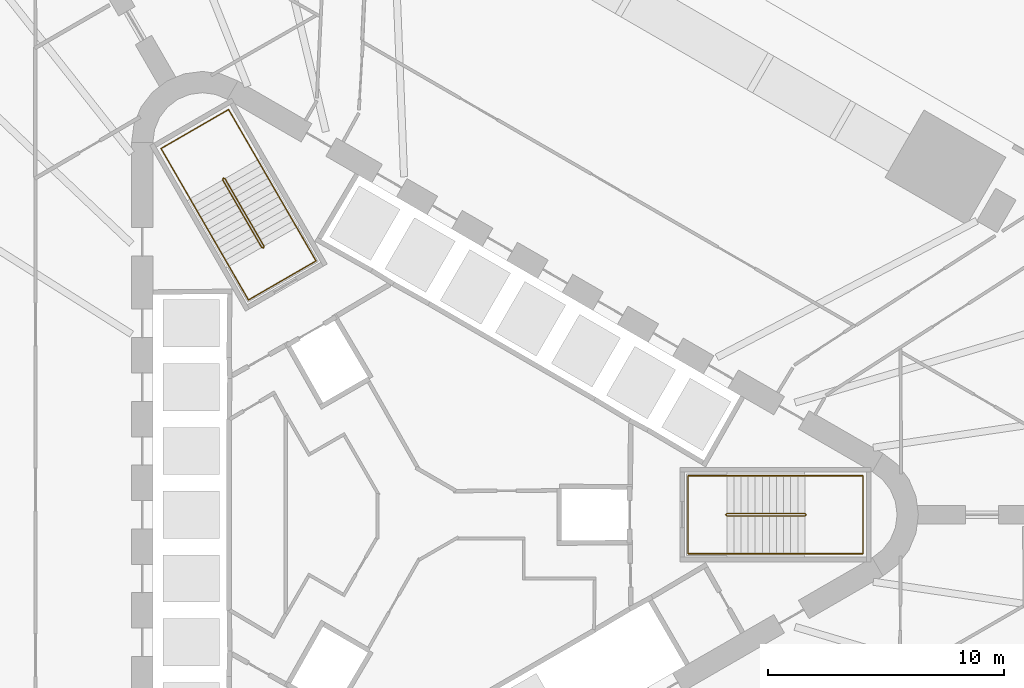
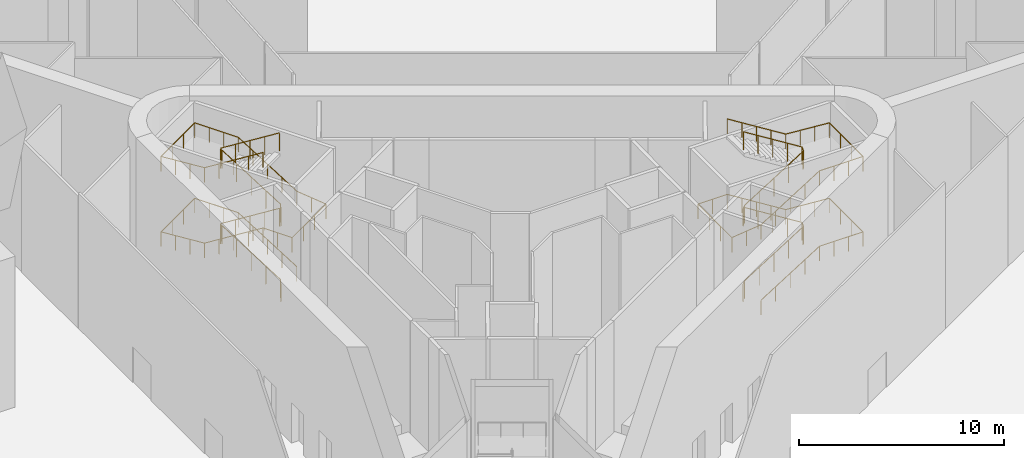
# One storey, part 21 of 22: 4 railings.
"""IFC4 building model written with IfcOpenShell, lengths in metres."""

from ifc_helpers import new_model, si_unit, direction, frame, origin, origin_2d, place, context, subcontext, project, spatial, circle, extrude, material, type_object, element, save


model = new_model("IFC4")

# Units and contexts
model_context = context("Model", 3, precision=1e-05, world=origin(), true_north=direction((0.0, 1.0)))
body_context = subcontext(model_context, "Body", "Model", "MODEL_VIEW")
ifc_project = project(units=[si_unit("LENGTHUNIT", "METRE"), si_unit("AREAUNIT", "SQUARE_METRE"), si_unit("VOLUMEUNIT", "CUBIC_METRE"), si_unit("PLANEANGLEUNIT", "RADIAN"), si_unit("MASSUNIT", "GRAM", prefix="KILO")], contexts=[model_context])

# Site, building, storey
site_placement = place(None, origin())
site = spatial("IfcSite", under=ifc_project, at=site_placement, CompositionType="ELEMENT")
building_placement = place(site_placement, origin())
building = spatial("IfcBuilding", under=site, at=building_placement, Name="Tanit Gate Tower", CompositionType="ELEMENT")
storey_placement = place(building_placement, origin())
storey = spatial("IfcBuildingStorey", under=building, at=storey_placement, Name="L00", CompositionType="ELEMENT", Elevation=0.0)

# Railings
ifc_material_1 = material(Name="Stainless steel balustrade", Category="steel")
railing_type_1 = type_object("IfcRailingType", Name="INT-STAIR-GUARD", PredefinedType="GUARDRAIL", material=ifc_material_1)
railing_1_placement = place(storey_placement, frame((13.044921875, 0.0048828125, 0.0)))
element("IfcRailing", 1, at=railing_1_placement, inside=storey, type_object=railing_type_1, Name="L00 S1 stair guard 1", PredefinedType="GUARDRAIL", context=body_context, shape_type="SweptSolid", body=[
    extrude(circle(Radius=0.02392578125, at=origin_2d()), frame((0.0, 0.0, 1.076171875), z_axis=(0.0, -1.0, 0.0), x_axis=(1.0, 0.0, 0.0)), (0.0, 0.0, 1.0), 0.009765625),
    extrude(circle(Radius=0.02392578125, at=origin_2d()), frame((0.0, -0.009765625, 1.076171875), z_axis=(0.249726431254, -0.249726431254, 0.935560483917), x_axis=(0.707106781187, 0.707106781187, 0.0)), (0.0, 0.0, 1.0), 0.200439453125),
    extrude(circle(Radius=0.02392578125, at=origin_2d()), frame((0.050048828125, -0.059814453125, 1.263671875), z_axis=(0.848001828478, 0.0, 0.529993300805), x_axis=(0.0, 1.0, 0.0)), (0.0, 0.0, 1.0), 3.8916015625),
    extrude(circle(Radius=0.02392578125, at=origin_2d()), frame((3.35009765625, -0.059814453125, 3.326171875), z_axis=(0.707106781187, 0.707106781187, 0.0), x_axis=(-0.707106781187, 0.707106781187, 0.0)), (0.0, 0.0, 1.0), 0.07080078125),
    extrude(circle(Radius=0.02392578125, at=origin_2d()), frame((3.400146484375, -0.009765625, 3.326171875), z_axis=(0.0, 1.0, 0.0), x_axis=(-1.0, 0.0, 0.0)), (0.0, 0.0, 1.0), 0.009765625),
    extrude(circle(Radius=0.02392578125, at=origin_2d()), frame((3.400146484375, 0.0, 3.326171875), z_axis=(-0.249726431254, 0.249726431254, 0.935560483917), x_axis=(-0.707106781187, -0.707106781187, 0.0)), (0.0, 0.0, 1.0), 0.200439453125),
    extrude(circle(Radius=0.02392578125, at=origin_2d()), frame((3.35009765625, 0.050048828125, 3.513671875), z_axis=(-0.848001828478, 0.0, 0.529993300805), x_axis=(0.0, -1.0, 0.0)), (0.0, 0.0, 1.0), 3.8916015625),
    extrude(circle(Radius=0.02392578125, at=origin_2d()), frame((0.050048828125, 0.050048828125, 5.576171875), z_axis=(-0.707106781187, -0.707106781187, 0.0), x_axis=(0.707106781187, -0.707106781187, 0.0)), (0.0, 0.0, 1.0), 0.07080078125),
    extrude(circle(Radius=0.02392578125, at=origin_2d()), frame((0.0, 0.0, 5.576171875), z_axis=(0.0, -1.0, 0.0), x_axis=(1.0, 0.0, 0.0)), (0.0, 0.0, 1.0), 0.009765625),
    extrude(circle(Radius=0.02392578125, at=origin_2d()), frame((0.0, -0.009765625, 5.576171875), z_axis=(0.249726431254, -0.249726431254, 0.935560483917), x_axis=(0.707106781187, 0.707106781187, 0.0)), (0.0, 0.0, 1.0), 0.200439453125),
    extrude(circle(Radius=0.02392578125, at=origin_2d()), frame((0.050048828125, -0.059814453125, 5.763671875), z_axis=(0.848001828478, 0.0, 0.529993300805), x_axis=(0.0, 1.0, 0.0)), (0.0, 0.0, 1.0), 3.8916015625),
    extrude(circle(Radius=0.02392578125, at=origin_2d()), frame((3.35009765625, -0.059814453125, 7.826171875), z_axis=(0.707106781187, 0.707106781187, 0.0), x_axis=(-0.707106781187, 0.707106781187, 0.0)), (0.0, 0.0, 1.0), 0.07080078125),
    extrude(circle(Radius=0.02392578125, at=origin_2d()), frame((3.400146484375, -0.009765625, 7.826171875), z_axis=(0.0, 1.0, 0.0), x_axis=(-1.0, 0.0, 0.0)), (0.0, 0.0, 1.0), 0.009765625),
    extrude(circle(Radius=0.02392578125, at=origin_2d()), frame((3.400146484375, 0.0, 7.826171875), z_axis=(-0.249726431254, 0.249726431254, 0.935560483917), x_axis=(-0.707106781187, -0.707106781187, 0.0)), (0.0, 0.0, 1.0), 0.200439453125),
    extrude(circle(Radius=0.02392578125, at=origin_2d()), frame((3.35009765625, 0.050048828125, 8.013671875), z_axis=(-0.848001828478, 0.0, 0.529993300805), x_axis=(0.0, -1.0, 0.0)), (0.0, 0.0, 1.0), 3.8916015625),
    extrude(circle(Radius=0.02099609375, at=origin_2d()), origin(), (0.0, 0.0, 1.0), 1.052001953125),
    extrude(circle(Radius=0.02099609375, at=origin_2d()), frame((0.0, -0.009765625, 0.0)), (0.0, 0.0, 1.0), 1.052001953125),
    extrude(circle(Radius=0.02099609375, at=origin_2d()), frame((0.050048828125, -0.059814453125, 0.1875)), (0.0, 0.0, 1.0), 1.052001953125),
    extrude(circle(Radius=0.02099609375, at=origin_2d()), frame((0.875, -0.059814453125, 0.703125)), (0.0, 0.0, 1.0), 1.052001953125),
    extrude(circle(Radius=0.02099609375, at=origin_2d()), frame((1.7001953125, -0.059814453125, 1.21875)), (0.0, 0.0, 1.0), 1.052001953125),
    extrude(circle(Radius=0.02099609375, at=origin_2d()), frame((2.525146484375, -0.059814453125, 1.734375)), (0.0, 0.0, 1.0), 1.052001953125),
    extrude(circle(Radius=0.02099609375, at=origin_2d()), frame((3.35009765625, -0.059814453125, 2.25)), (0.0, 0.0, 1.0), 1.052001953125),
    extrude(circle(Radius=0.02099609375, at=origin_2d()), frame((3.400146484375, -0.009765625, 2.25)), (0.0, 0.0, 1.0), 1.052001953125),
    extrude(circle(Radius=0.02099609375, at=origin_2d()), frame((3.400146484375, 0.0, 2.25)), (0.0, 0.0, 1.0), 1.052001953125),
    extrude(circle(Radius=0.02099609375, at=origin_2d()), frame((3.35009765625, 0.050048828125, 2.4375)), (0.0, 0.0, 1.0), 1.052001953125),
    extrude(circle(Radius=0.02099609375, at=origin_2d()), frame((2.525146484375, 0.050048828125, 2.953125)), (0.0, 0.0, 1.0), 1.052001953125),
    extrude(circle(Radius=0.02099609375, at=origin_2d()), frame((1.7001953125, 0.050048828125, 3.46875)), (0.0, 0.0, 1.0), 1.052001953125),
    extrude(circle(Radius=0.02099609375, at=origin_2d()), frame((0.875, 0.050048828125, 3.984375)), (0.0, 0.0, 1.0), 1.052001953125),
    extrude(circle(Radius=0.02099609375, at=origin_2d()), frame((0.050048828125, 0.050048828125, 4.5)), (0.0, 0.0, 1.0), 1.052001953125),
    extrude(circle(Radius=0.02099609375, at=origin_2d()), frame((0.0, 0.0, 4.5)), (0.0, 0.0, 1.0), 1.052001953125),
    extrude(circle(Radius=0.02099609375, at=origin_2d()), frame((0.0, -0.009765625, 4.5)), (0.0, 0.0, 1.0), 1.052001953125),
    extrude(circle(Radius=0.02099609375, at=origin_2d()), frame((0.050048828125, -0.059814453125, 4.6875)), (0.0, 0.0, 1.0), 1.052001953125),
    extrude(circle(Radius=0.02099609375, at=origin_2d()), frame((0.875, -0.059814453125, 5.203125)), (0.0, 0.0, 1.0), 1.052001953125),
    extrude(circle(Radius=0.02099609375, at=origin_2d()), frame((1.7001953125, -0.059814453125, 5.71875)), (0.0, 0.0, 1.0), 1.052001953125),
    extrude(circle(Radius=0.02099609375, at=origin_2d()), frame((2.525146484375, -0.059814453125, 6.234375)), (0.0, 0.0, 1.0), 1.052001953125),
    extrude(circle(Radius=0.02099609375, at=origin_2d()), frame((3.35009765625, -0.059814453125, 6.75)), (0.0, 0.0, 1.0), 1.052001953125),
    extrude(circle(Radius=0.02099609375, at=origin_2d()), frame((3.400146484375, -0.009765625, 6.75)), (0.0, 0.0, 1.0), 1.052001953125),
    extrude(circle(Radius=0.02099609375, at=origin_2d()), frame((3.400146484375, 0.0, 6.75)), (0.0, 0.0, 1.0), 1.052001953125),
    extrude(circle(Radius=0.02099609375, at=origin_2d()), frame((3.35009765625, 0.050048828125, 6.9375)), (0.0, 0.0, 1.0), 1.052001953125),
    extrude(circle(Radius=0.02099609375, at=origin_2d()), frame((2.525146484375, 0.050048828125, 7.453125)), (0.0, 0.0, 1.0), 1.052001953125),
    extrude(circle(Radius=0.02099609375, at=origin_2d()), frame((1.7001953125, 0.050048828125, 7.96875)), (0.0, 0.0, 1.0), 1.052001953125),
    extrude(circle(Radius=0.02099609375, at=origin_2d()), frame((0.875, 0.050048828125, 8.484375)), (0.0, 0.0, 1.0), 1.052001953125),
    extrude(circle(Radius=0.02099609375, at=origin_2d()), frame((0.050048828125, 0.050048828125, 9.0)), (0.0, 0.0, 1.0), 1.052001953125),
])
railing_2_placement = place(storey_placement, frame((-6.527099609375, 11.29345703125, 0.0)))
element("IfcRailing", 2, at=railing_2_placement, inside=storey, type_object=railing_type_1, Name="L00 S2 stair guard 1", PredefinedType="GUARDRAIL", context=body_context, shape_type="SweptSolid", body=[
    extrude(circle(Radius=0.02392578125, at=origin_2d()), frame((0.0, 0.0, 1.076171875), z_axis=(0.868243142124, 0.496138938357, 0.0), x_axis=(-0.496138938357, 0.868243142124, 0.0)), (0.0, 0.0, 1.0), 0.01171875),
    extrude(circle(Radius=0.02392578125, at=origin_2d()), frame((0.01025390625, 0.005859375, 1.076171875), z_axis=(0.091365023295, 0.341096086969, 0.935577838543), x_axis=(-0.965948051503, 0.258736085224, 0.0)), (0.0, 0.0, 1.0), 0.200439453125),
    extrude(circle(Radius=0.02392578125, at=origin_2d()), frame((0.028564453125, 0.07421875, 1.263671875), z_axis=(-0.423976462191, 0.734399003612, 0.530001946225), x_axis=(-0.866040211805, -0.499974350878, 0.0)), (0.0, 0.0, 1.0), 3.8916015625),
    extrude(circle(Radius=0.02392578125, at=origin_2d()), frame((-1.621337890625, 2.93212890625, 3.326171875), z_axis=(-0.965948051503, 0.258736085224, 0.0), x_axis=(-0.258736085224, -0.965948051503, 0.0)), (0.0, 0.0, 1.0), 0.07080078125),
    extrude(circle(Radius=0.02392578125, at=origin_2d()), frame((-1.689697265625, 2.950439453125, 3.326171875), z_axis=(-0.873197702015, -0.487366159264, 0.0), x_axis=(0.487366159264, -0.873197702015, 0.0)), (0.0, 0.0, 1.0), 0.011962890625),
    extrude(circle(Radius=0.02392578125, at=origin_2d()), frame((-1.7001953125, 2.944580078125, 3.326171875), z_axis=(-0.091365023295, -0.341096086969, 0.935577838543), x_axis=(0.965948051503, -0.258736085224, 0.0)), (0.0, 0.0, 1.0), 0.200439453125),
    extrude(circle(Radius=0.02392578125, at=origin_2d()), frame((-1.718505859375, 2.876220703125, 3.513671875), z_axis=(0.424027919761, -0.734379468667, 0.529987848223), x_axis=(0.866008176907, 0.50002983664, 0.0)), (0.0, 0.0, 1.0), 3.8916015625),
    extrude(circle(Radius=0.02392578125, at=origin_2d()), frame((-0.068359375, 0.018310546875, 5.576171875), z_axis=(0.965948051503, -0.258736085224, 0.0), x_axis=(0.258736085224, 0.965948051503, 0.0)), (0.0, 0.0, 1.0), 0.07080078125),
    extrude(circle(Radius=0.02392578125, at=origin_2d()), frame((0.0, 0.0, 5.576171875), z_axis=(0.868243142124, 0.496138938357, 0.0), x_axis=(-0.496138938357, 0.868243142124, 0.0)), (0.0, 0.0, 1.0), 0.01171875),
    extrude(circle(Radius=0.02392578125, at=origin_2d()), frame((0.01025390625, 0.005859375, 5.576171875), z_axis=(0.091365023295, 0.341096086969, 0.935577838543), x_axis=(-0.965948051503, 0.258736085224, 0.0)), (0.0, 0.0, 1.0), 0.200439453125),
    extrude(circle(Radius=0.02392578125, at=origin_2d()), frame((0.028564453125, 0.07421875, 5.763671875), z_axis=(-0.423976462191, 0.734399003612, 0.530001946225), x_axis=(-0.866040211805, -0.499974350878, 0.0)), (0.0, 0.0, 1.0), 3.8916015625),
    extrude(circle(Radius=0.02392578125, at=origin_2d()), frame((-1.621337890625, 2.93212890625, 7.826171875), z_axis=(-0.965948051503, 0.258736085224, 0.0), x_axis=(-0.258736085224, -0.965948051503, 0.0)), (0.0, 0.0, 1.0), 0.07080078125),
    extrude(circle(Radius=0.02392578125, at=origin_2d()), frame((-1.689697265625, 2.950439453125, 7.826171875), z_axis=(-0.873197702015, -0.487366159264, 0.0), x_axis=(0.487366159264, -0.873197702015, 0.0)), (0.0, 0.0, 1.0), 0.011962890625),
    extrude(circle(Radius=0.02392578125, at=origin_2d()), frame((-1.7001953125, 2.944580078125, 7.826171875), z_axis=(-0.091365023295, -0.341096086969, 0.935577838543), x_axis=(0.965948051503, -0.258736085224, 0.0)), (0.0, 0.0, 1.0), 0.200439453125),
    extrude(circle(Radius=0.02392578125, at=origin_2d()), frame((-1.718505859375, 2.876220703125, 8.013671875), z_axis=(0.424027919761, -0.734379468667, 0.529987848223), x_axis=(0.866008176907, 0.50002983664, 0.0)), (0.0, 0.0, 1.0), 3.8916015625),
    extrude(circle(Radius=0.02099609375, at=origin_2d()), origin(), (0.0, 0.0, 1.0), 1.052001953125),
    extrude(circle(Radius=0.02099609375, at=origin_2d()), frame((0.01025390625, 0.005859375, 0.0)), (0.0, 0.0, 1.0), 1.052001953125),
    extrude(circle(Radius=0.02099609375, at=origin_2d()), frame((0.028564453125, 0.07421875, 0.1875)), (0.0, 0.0, 1.0), 1.052001953125),
    extrude(circle(Radius=0.02099609375, at=origin_2d()), frame((-0.3837890625, 0.78857421875, 0.703125)), (0.0, 0.0, 1.0), 1.052001953125),
    extrude(circle(Radius=0.02099609375, at=origin_2d()), frame((-0.79638671875, 1.503173828125, 1.21875)), (0.0, 0.0, 1.0), 1.052001953125),
    extrude(circle(Radius=0.02099609375, at=origin_2d()), frame((-1.208984375, 2.2177734375, 1.734375)), (0.0, 0.0, 1.0), 1.052001953125),
    extrude(circle(Radius=0.02099609375, at=origin_2d()), frame((-1.621337890625, 2.93212890625, 2.25)), (0.0, 0.0, 1.0), 1.052001953125),
    extrude(circle(Radius=0.02099609375, at=origin_2d()), frame((-1.689697265625, 2.950439453125, 2.25)), (0.0, 0.0, 1.0), 1.052001953125),
    extrude(circle(Radius=0.02099609375, at=origin_2d()), frame((-1.7001953125, 2.944580078125, 2.25)), (0.0, 0.0, 1.0), 1.052001953125),
    extrude(circle(Radius=0.02099609375, at=origin_2d()), frame((-1.718505859375, 2.876220703125, 2.4375)), (0.0, 0.0, 1.0), 1.052001953125),
    extrude(circle(Radius=0.02099609375, at=origin_2d()), frame((-1.305908203125, 2.16162109375, 2.953125)), (0.0, 0.0, 1.0), 1.052001953125),
    extrude(circle(Radius=0.02099609375, at=origin_2d()), frame((-0.8935546875, 1.447265625, 3.46875)), (0.0, 0.0, 1.0), 1.052001953125),
    extrude(circle(Radius=0.02099609375, at=origin_2d()), frame((-0.48095703125, 0.73291015625, 3.984375)), (0.0, 0.0, 1.0), 1.052001953125),
    extrude(circle(Radius=0.02099609375, at=origin_2d()), frame((-0.068359375, 0.018310546875, 4.5)), (0.0, 0.0, 1.0), 1.052001953125),
    extrude(circle(Radius=0.02099609375, at=origin_2d()), frame((0.0, 0.0, 4.5)), (0.0, 0.0, 1.0), 1.052001953125),
    extrude(circle(Radius=0.02099609375, at=origin_2d()), frame((0.01025390625, 0.005859375, 4.5)), (0.0, 0.0, 1.0), 1.052001953125),
    extrude(circle(Radius=0.02099609375, at=origin_2d()), frame((0.028564453125, 0.07421875, 4.6875)), (0.0, 0.0, 1.0), 1.052001953125),
    extrude(circle(Radius=0.02099609375, at=origin_2d()), frame((-0.3837890625, 0.78857421875, 5.203125)), (0.0, 0.0, 1.0), 1.052001953125),
    extrude(circle(Radius=0.02099609375, at=origin_2d()), frame((-0.79638671875, 1.503173828125, 5.71875)), (0.0, 0.0, 1.0), 1.052001953125),
    extrude(circle(Radius=0.02099609375, at=origin_2d()), frame((-1.208984375, 2.2177734375, 6.234375)), (0.0, 0.0, 1.0), 1.052001953125),
    extrude(circle(Radius=0.02099609375, at=origin_2d()), frame((-1.621337890625, 2.93212890625, 6.75)), (0.0, 0.0, 1.0), 1.052001953125),
    extrude(circle(Radius=0.02099609375, at=origin_2d()), frame((-1.689697265625, 2.950439453125, 6.75)), (0.0, 0.0, 1.0), 1.052001953125),
    extrude(circle(Radius=0.02099609375, at=origin_2d()), frame((-1.7001953125, 2.944580078125, 6.75)), (0.0, 0.0, 1.0), 1.052001953125),
    extrude(circle(Radius=0.02099609375, at=origin_2d()), frame((-1.718505859375, 2.876220703125, 6.9375)), (0.0, 0.0, 1.0), 1.052001953125),
    extrude(circle(Radius=0.02099609375, at=origin_2d()), frame((-1.305908203125, 2.16162109375, 7.453125)), (0.0, 0.0, 1.0), 1.052001953125),
    extrude(circle(Radius=0.02099609375, at=origin_2d()), frame((-0.8935546875, 1.447265625, 7.96875)), (0.0, 0.0, 1.0), 1.052001953125),
    extrude(circle(Radius=0.02099609375, at=origin_2d()), frame((-0.48095703125, 0.73291015625, 8.484375)), (0.0, 0.0, 1.0), 1.052001953125),
    extrude(circle(Radius=0.02099609375, at=origin_2d()), frame((-0.068359375, 0.018310546875, 9.0)), (0.0, 0.0, 1.0), 1.052001953125),
])
ifc_material_2 = material(Name="Stainless steel handrail", Category="steel")
railing_type_2 = type_object("IfcRailingType", Name="INT-STAIR-HANDRAIL", PredefinedType="HANDRAIL", material=ifc_material_2)
railing_3_placement = place(storey_placement, frame((13.094970703125, -1.64990234375, 0.1875)))
element("IfcRailing", 3, at=railing_3_placement, inside=storey, type_object=railing_type_2, Name="L00 S1 stair handrail 1", PredefinedType="HANDRAIL", context=body_context, shape_type="SweptSolid", body=[
    extrude(circle(Radius=0.02392578125, at=origin_2d()), frame((0.0, 0.0, 0.8759765625), z_axis=(0.848001828478, 0.0, 0.529993300805), x_axis=(0.0, 1.0, 0.0)), (0.0, 0.0, 1.0), 3.8916015625),
    extrude(circle(Radius=0.02392578125, at=origin_2d()), frame((3.300048828125, 0.0, 2.9384765625), z_axis=(1.0, 0.0, 0.0), x_axis=(0.0, 1.0, 0.0)), (0.0, 0.0, 1.0), 2.455078125),
    extrude(circle(Radius=0.02392578125, at=origin_2d()), frame((5.755126953125, 0.0, 2.9384765625), z_axis=(0.0, 1.0, 0.0), x_axis=(-1.0, 0.0, 0.0)), (0.0, 0.0, 1.0), 3.2998046875),
    extrude(circle(Radius=0.02392578125, at=origin_2d()), frame((5.755126953125, 3.2998046875, 2.9384765625), z_axis=(-0.997096330832, 0.0, 0.076150555099), x_axis=(0.0, -1.0, 0.0)), (0.0, 0.0, 1.0), 2.462158203125),
    extrude(circle(Radius=0.02392578125, at=origin_2d()), frame((3.300048828125, 3.2998046875, 3.1259765625), z_axis=(-0.848001828478, 0.0, 0.529993300805), x_axis=(0.0, -1.0, 0.0)), (0.0, 0.0, 1.0), 3.8916015625),
    extrude(circle(Radius=0.02392578125, at=origin_2d()), frame((0.0, 3.2998046875, 5.1884765625), z_axis=(-1.0, 0.0, 0.0), x_axis=(0.0, -1.0, 0.0)), (0.0, 0.0, 1.0), 1.64501953125),
    extrude(circle(Radius=0.02392578125, at=origin_2d()), frame((-1.64501953125, 3.2998046875, 5.1884765625), z_axis=(0.0, -1.0, 0.0), x_axis=(1.0, 0.0, 0.0)), (0.0, 0.0, 1.0), 3.2998046875),
    extrude(circle(Radius=0.02392578125, at=origin_2d()), frame((-1.64501953125, 0.0, 5.1884765625), z_axis=(0.99356684807, 0.0, 0.113247156325), x_axis=(0.0, 1.0, 0.0)), (0.0, 0.0, 1.0), 1.65576171875),
    extrude(circle(Radius=0.02392578125, at=origin_2d()), frame((0.0, 0.0, 5.3759765625), z_axis=(0.848001828478, 0.0, 0.529993300805), x_axis=(0.0, 1.0, 0.0)), (0.0, 0.0, 1.0), 3.8916015625),
    extrude(circle(Radius=0.02392578125, at=origin_2d()), frame((3.300048828125, 0.0, 7.4384765625), z_axis=(1.0, 0.0, 0.0), x_axis=(0.0, 1.0, 0.0)), (0.0, 0.0, 1.0), 2.455078125),
    extrude(circle(Radius=0.02392578125, at=origin_2d()), frame((5.755126953125, 0.0, 7.4384765625), z_axis=(0.0, 1.0, 0.0), x_axis=(-1.0, 0.0, 0.0)), (0.0, 0.0, 1.0), 3.2998046875),
    extrude(circle(Radius=0.02392578125, at=origin_2d()), frame((5.755126953125, 3.2998046875, 7.4384765625), z_axis=(-0.997096330832, 0.0, 0.076150555099), x_axis=(0.0, -1.0, 0.0)), (0.0, 0.0, 1.0), 2.462158203125),
    extrude(circle(Radius=0.02392578125, at=origin_2d()), frame((3.300048828125, 3.2998046875, 7.6259765625), z_axis=(-0.848001828478, 0.0, 0.529993300805), x_axis=(0.0, -1.0, 0.0)), (0.0, 0.0, 1.0), 3.8916015625),
    extrude(circle(Radius=0.02099609375, at=origin_2d()), origin(), (0.0, 0.0, 1.0), 0.851806640625),
    extrude(circle(Radius=0.02099609375, at=origin_2d()), frame((0.824951171875, 0.0, 0.515625)), (0.0, 0.0, 1.0), 0.851806640625),
    extrude(circle(Radius=0.02099609375, at=origin_2d()), frame((1.64990234375, 0.0, 1.03125)), (0.0, 0.0, 1.0), 0.851806640625),
    extrude(circle(Radius=0.02099609375, at=origin_2d()), frame((2.47509765625, 0.0, 1.546875)), (0.0, 0.0, 1.0), 0.851806640625),
    extrude(circle(Radius=0.02099609375, at=origin_2d()), frame((3.300048828125, 0.0, 2.0625)), (0.0, 0.0, 1.0), 0.851806640625),
    extrude(circle(Radius=0.02099609375, at=origin_2d()), frame((4.118408203125, 0.0, 2.0625)), (0.0, 0.0, 1.0), 0.851806640625),
    extrude(circle(Radius=0.02099609375, at=origin_2d()), frame((4.936767578125, 0.0, 2.0625)), (0.0, 0.0, 1.0), 0.851806640625),
    extrude(circle(Radius=0.02099609375, at=origin_2d()), frame((5.755126953125, 0.0, 2.0625)), (0.0, 0.0, 1.0), 0.851806640625),
    extrude(circle(Radius=0.02099609375, at=origin_2d()), frame((5.755126953125, 1.099853515625, 2.0625)), (0.0, 0.0, 1.0), 0.851806640625),
    extrude(circle(Radius=0.02099609375, at=origin_2d()), frame((5.755126953125, 2.199951171875, 2.0625)), (0.0, 0.0, 1.0), 0.851806640625),
    extrude(circle(Radius=0.02099609375, at=origin_2d()), frame((5.755126953125, 3.2998046875, 2.0625)), (0.0, 0.0, 1.0), 0.851806640625),
    extrude(circle(Radius=0.02099609375, at=origin_2d()), frame((4.936767578125, 3.2998046875, 2.125)), (0.0, 0.0, 1.0), 0.851806640625),
    extrude(circle(Radius=0.02099609375, at=origin_2d()), frame((4.118408203125, 3.2998046875, 2.1875)), (0.0, 0.0, 1.0), 0.851806640625),
    extrude(circle(Radius=0.02099609375, at=origin_2d()), frame((3.300048828125, 3.2998046875, 2.25)), (0.0, 0.0, 1.0), 0.851806640625),
    extrude(circle(Radius=0.02099609375, at=origin_2d()), frame((2.47509765625, 3.2998046875, 2.765625)), (0.0, 0.0, 1.0), 0.851806640625),
    extrude(circle(Radius=0.02099609375, at=origin_2d()), frame((1.64990234375, 3.2998046875, 3.28125)), (0.0, 0.0, 1.0), 0.851806640625),
    extrude(circle(Radius=0.02099609375, at=origin_2d()), frame((0.824951171875, 3.2998046875, 3.796875)), (0.0, 0.0, 1.0), 0.851806640625),
    extrude(circle(Radius=0.02099609375, at=origin_2d()), frame((0.0, 3.2998046875, 4.3125)), (0.0, 0.0, 1.0), 0.851806640625),
    extrude(circle(Radius=0.02099609375, at=origin_2d()), frame((-0.822509765625, 3.2998046875, 4.3125)), (0.0, 0.0, 1.0), 0.851806640625),
    extrude(circle(Radius=0.02099609375, at=origin_2d()), frame((-1.64501953125, 3.2998046875, 4.3125)), (0.0, 0.0, 1.0), 0.851806640625),
    extrude(circle(Radius=0.02099609375, at=origin_2d()), frame((-1.64501953125, 2.199951171875, 4.3125)), (0.0, 0.0, 1.0), 0.851806640625),
    extrude(circle(Radius=0.02099609375, at=origin_2d()), frame((-1.64501953125, 1.099853515625, 4.3125)), (0.0, 0.0, 1.0), 0.851806640625),
    extrude(circle(Radius=0.02099609375, at=origin_2d()), frame((-1.64501953125, 0.0, 4.3125)), (0.0, 0.0, 1.0), 0.851806640625),
    extrude(circle(Radius=0.02099609375, at=origin_2d()), frame((-0.822509765625, 0.0, 4.40625)), (0.0, 0.0, 1.0), 0.851806640625),
    extrude(circle(Radius=0.02099609375, at=origin_2d()), frame((0.0, 0.0, 4.5)), (0.0, 0.0, 1.0), 0.851806640625),
    extrude(circle(Radius=0.02099609375, at=origin_2d()), frame((0.824951171875, 0.0, 5.015625)), (0.0, 0.0, 1.0), 0.851806640625),
    extrude(circle(Radius=0.02099609375, at=origin_2d()), frame((1.64990234375, 0.0, 5.53125)), (0.0, 0.0, 1.0), 0.851806640625),
    extrude(circle(Radius=0.02099609375, at=origin_2d()), frame((2.47509765625, 0.0, 6.046875)), (0.0, 0.0, 1.0), 0.851806640625),
    extrude(circle(Radius=0.02099609375, at=origin_2d()), frame((3.300048828125, 0.0, 6.5625)), (0.0, 0.0, 1.0), 0.851806640625),
    extrude(circle(Radius=0.02099609375, at=origin_2d()), frame((4.118408203125, 0.0, 6.5625)), (0.0, 0.0, 1.0), 0.851806640625),
    extrude(circle(Radius=0.02099609375, at=origin_2d()), frame((4.936767578125, 0.0, 6.5625)), (0.0, 0.0, 1.0), 0.851806640625),
    extrude(circle(Radius=0.02099609375, at=origin_2d()), frame((5.755126953125, 0.0, 6.5625)), (0.0, 0.0, 1.0), 0.851806640625),
    extrude(circle(Radius=0.02099609375, at=origin_2d()), frame((5.755126953125, 1.099853515625, 6.5625)), (0.0, 0.0, 1.0), 0.851806640625),
    extrude(circle(Radius=0.02099609375, at=origin_2d()), frame((5.755126953125, 2.199951171875, 6.5625)), (0.0, 0.0, 1.0), 0.851806640625),
    extrude(circle(Radius=0.02099609375, at=origin_2d()), frame((5.755126953125, 3.2998046875, 6.5625)), (0.0, 0.0, 1.0), 0.851806640625),
    extrude(circle(Radius=0.02099609375, at=origin_2d()), frame((4.936767578125, 3.2998046875, 6.625)), (0.0, 0.0, 1.0), 0.851806640625),
    extrude(circle(Radius=0.02099609375, at=origin_2d()), frame((4.118408203125, 3.2998046875, 6.6875)), (0.0, 0.0, 1.0), 0.851806640625),
    extrude(circle(Radius=0.02099609375, at=origin_2d()), frame((3.300048828125, 3.2998046875, 6.75)), (0.0, 0.0, 1.0), 0.851806640625),
    extrude(circle(Radius=0.02099609375, at=origin_2d()), frame((2.47509765625, 3.2998046875, 7.265625)), (0.0, 0.0, 1.0), 0.851806640625),
    extrude(circle(Radius=0.02099609375, at=origin_2d()), frame((1.64990234375, 3.2998046875, 7.78125)), (0.0, 0.0, 1.0), 0.851806640625),
    extrude(circle(Radius=0.02099609375, at=origin_2d()), frame((0.824951171875, 3.2998046875, 8.296875)), (0.0, 0.0, 1.0), 0.851806640625),
    extrude(circle(Radius=0.02099609375, at=origin_2d()), frame((0.0, 3.2998046875, 8.8125)), (0.0, 0.0, 1.0), 0.851806640625),
])
railing_4_placement = place(storey_placement, frame((-5.1181640625, 12.164794921875, 0.1875)))
element("IfcRailing", 4, at=railing_4_placement, inside=storey, type_object=railing_type_2, Name="L00 S2 stair handrail 1", PredefinedType="HANDRAIL", context=body_context, shape_type="SweptSolid", body=[
    extrude(circle(Radius=0.02392578125, at=origin_2d()), frame((0.0, 0.0, 0.8759765625), z_axis=(-0.423976462191, 0.734399003612, 0.530001946225), x_axis=(-0.866040211805, -0.499974350878, 0.0)), (0.0, 0.0, 1.0), 3.8916015625),
    extrude(circle(Radius=0.02392578125, at=origin_2d()), frame((-1.64990234375, 2.85791015625, 2.9384765625), z_axis=(-0.500009278584, 0.866020046725, 0.0), x_axis=(-0.866020046725, -0.500009278584, 0.0)), (0.0, 0.0, 1.0), 2.4560546875),
    extrude(circle(Radius=0.02392578125, at=origin_2d()), frame((-2.8779296875, 4.98486328125, 2.9384765625), z_axis=(-0.866008176907, -0.50002983664, 0.0), x_axis=(0.50002983664, -0.866008176907, 0.0)), (0.0, 0.0, 1.0), 3.300048828125),
    extrude(circle(Radius=0.02392578125, at=origin_2d()), frame((-5.73583984375, 3.334716796875, 2.9384765625), z_axis=(0.498558512763, -0.863507308786, 0.076121856422), x_axis=(0.866020046725, 0.500009278584, 0.0)), (0.0, 0.0, 1.0), 2.463134765625),
    extrude(circle(Radius=0.02392578125, at=origin_2d()), frame((-4.5078125, 1.207763671875, 3.1259765625), z_axis=(0.424027919761, -0.734379468667, 0.529987848223), x_axis=(0.866008176907, 0.50002983664, 0.0)), (0.0, 0.0, 1.0), 3.8916015625),
    extrude(circle(Radius=0.02392578125, at=origin_2d()), frame((-2.857666015625, -1.650146484375, 5.1884765625), z_axis=(0.499941024108, -0.866059450854, 0.0), x_axis=(0.866059450854, 0.499941024108, 0.0)), (0.0, 0.0, 1.0), 1.643798828125),
    extrude(circle(Radius=0.02392578125, at=origin_2d()), frame((-2.035888671875, -3.07373046875, 5.1884765625), z_axis=(0.866040211805, 0.499974350878, 0.0), x_axis=(-0.499974350878, 0.866040211805, 0.0)), (0.0, 0.0, 1.0), 3.300048828125),
    extrude(circle(Radius=0.02392578125, at=origin_2d()), frame((0.822021484375, -1.423828125, 5.1884765625), z_axis=(-0.496767975462, 0.860454657824, 0.113310901442), x_axis=(-0.866032269107, -0.499988108725, 0.0)), (0.0, 0.0, 1.0), 1.65478515625),
    extrude(circle(Radius=0.02392578125, at=origin_2d()), frame((0.0, 0.0, 5.3759765625), z_axis=(-0.423976462191, 0.734399003612, 0.530001946225), x_axis=(-0.866040211805, -0.499974350878, 0.0)), (0.0, 0.0, 1.0), 3.8916015625),
    extrude(circle(Radius=0.02392578125, at=origin_2d()), frame((-1.64990234375, 2.85791015625, 7.4384765625), z_axis=(-0.500009278584, 0.866020046725, 0.0), x_axis=(-0.866020046725, -0.500009278584, 0.0)), (0.0, 0.0, 1.0), 2.4560546875),
    extrude(circle(Radius=0.02392578125, at=origin_2d()), frame((-2.8779296875, 4.98486328125, 7.4384765625), z_axis=(-0.866008176907, -0.50002983664, 0.0), x_axis=(0.50002983664, -0.866008176907, 0.0)), (0.0, 0.0, 1.0), 3.300048828125),
    extrude(circle(Radius=0.02392578125, at=origin_2d()), frame((-5.73583984375, 3.334716796875, 7.4384765625), z_axis=(0.498558512763, -0.863507308786, 0.076121856422), x_axis=(0.866020046725, 0.500009278584, 0.0)), (0.0, 0.0, 1.0), 2.463134765625),
    extrude(circle(Radius=0.02392578125, at=origin_2d()), frame((-4.5078125, 1.207763671875, 7.6259765625), z_axis=(0.424027919761, -0.734379468667, 0.529987848223), x_axis=(0.866008176907, 0.50002983664, 0.0)), (0.0, 0.0, 1.0), 3.8916015625),
    extrude(circle(Radius=0.02099609375, at=origin_2d()), origin(), (0.0, 0.0, 1.0), 0.851806640625),
    extrude(circle(Radius=0.02099609375, at=origin_2d()), frame((-0.41259765625, 0.71435546875, 0.515625)), (0.0, 0.0, 1.0), 0.851806640625),
    extrude(circle(Radius=0.02099609375, at=origin_2d()), frame((-0.824951171875, 1.428955078125, 1.03125)), (0.0, 0.0, 1.0), 0.851806640625),
    extrude(circle(Radius=0.02099609375, at=origin_2d()), frame((-1.2373046875, 2.1435546875, 1.546875)), (0.0, 0.0, 1.0), 0.851806640625),
    extrude(circle(Radius=0.02099609375, at=origin_2d()), frame((-1.64990234375, 2.85791015625, 2.0625)), (0.0, 0.0, 1.0), 0.851806640625),
    extrude(circle(Radius=0.02099609375, at=origin_2d()), frame((-2.059326171875, 3.56689453125, 2.0625)), (0.0, 0.0, 1.0), 0.851806640625),
    extrude(circle(Radius=0.02099609375, at=origin_2d()), frame((-2.468505859375, 4.27587890625, 2.0625)), (0.0, 0.0, 1.0), 0.851806640625),
    extrude(circle(Radius=0.02099609375, at=origin_2d()), frame((-2.8779296875, 4.98486328125, 2.0625)), (0.0, 0.0, 1.0), 0.851806640625),
    extrude(circle(Radius=0.02099609375, at=origin_2d()), frame((-3.83056640625, 4.434814453125, 2.0625)), (0.0, 0.0, 1.0), 0.851806640625),
    extrude(circle(Radius=0.02099609375, at=origin_2d()), frame((-4.783203125, 3.884765625, 2.0625)), (0.0, 0.0, 1.0), 0.851806640625),
    extrude(circle(Radius=0.02099609375, at=origin_2d()), frame((-5.73583984375, 3.334716796875, 2.0625)), (0.0, 0.0, 1.0), 0.851806640625),
    extrude(circle(Radius=0.02099609375, at=origin_2d()), frame((-5.326416015625, 2.625732421875, 2.125)), (0.0, 0.0, 1.0), 0.851806640625),
    extrude(circle(Radius=0.02099609375, at=origin_2d()), frame((-4.917236328125, 1.916748046875, 2.1875)), (0.0, 0.0, 1.0), 0.851806640625),
    extrude(circle(Radius=0.02099609375, at=origin_2d()), frame((-4.5078125, 1.207763671875, 2.25)), (0.0, 0.0, 1.0), 0.851806640625),
    extrude(circle(Radius=0.02099609375, at=origin_2d()), frame((-4.09521484375, 0.4931640625, 2.765625)), (0.0, 0.0, 1.0), 0.851806640625),
    extrude(circle(Radius=0.02099609375, at=origin_2d()), frame((-3.6826171875, -0.22119140625, 3.28125)), (0.0, 0.0, 1.0), 0.851806640625),
    extrude(circle(Radius=0.02099609375, at=origin_2d()), frame((-3.270263671875, -0.935546875, 3.796875)), (0.0, 0.0, 1.0), 0.851806640625),
    extrude(circle(Radius=0.02099609375, at=origin_2d()), frame((-2.857666015625, -1.650146484375, 4.3125)), (0.0, 0.0, 1.0), 0.851806640625),
    extrude(circle(Radius=0.02099609375, at=origin_2d()), frame((-2.44677734375, -2.36181640625, 4.3125)), (0.0, 0.0, 1.0), 0.851806640625),
    extrude(circle(Radius=0.02099609375, at=origin_2d()), frame((-2.035888671875, -3.07373046875, 4.3125)), (0.0, 0.0, 1.0), 0.851806640625),
    extrude(circle(Radius=0.02099609375, at=origin_2d()), frame((-1.083251953125, -2.523681640625, 4.3125)), (0.0, 0.0, 1.0), 0.851806640625),
    extrude(circle(Radius=0.02099609375, at=origin_2d()), frame((-0.130615234375, -1.973876953125, 4.3125)), (0.0, 0.0, 1.0), 0.851806640625),
    extrude(circle(Radius=0.02099609375, at=origin_2d()), frame((0.822021484375, -1.423828125, 4.3125)), (0.0, 0.0, 1.0), 0.851806640625),
    extrude(circle(Radius=0.02099609375, at=origin_2d()), frame((0.4111328125, -0.7119140625, 4.40625)), (0.0, 0.0, 1.0), 0.851806640625),
    extrude(circle(Radius=0.02099609375, at=origin_2d()), frame((0.0, 0.0, 4.5)), (0.0, 0.0, 1.0), 0.851806640625),
    extrude(circle(Radius=0.02099609375, at=origin_2d()), frame((-0.41259765625, 0.71435546875, 5.015625)), (0.0, 0.0, 1.0), 0.851806640625),
    extrude(circle(Radius=0.02099609375, at=origin_2d()), frame((-0.824951171875, 1.428955078125, 5.53125)), (0.0, 0.0, 1.0), 0.851806640625),
    extrude(circle(Radius=0.02099609375, at=origin_2d()), frame((-1.2373046875, 2.1435546875, 6.046875)), (0.0, 0.0, 1.0), 0.851806640625),
    extrude(circle(Radius=0.02099609375, at=origin_2d()), frame((-1.64990234375, 2.85791015625, 6.5625)), (0.0, 0.0, 1.0), 0.851806640625),
    extrude(circle(Radius=0.02099609375, at=origin_2d()), frame((-2.059326171875, 3.56689453125, 6.5625)), (0.0, 0.0, 1.0), 0.851806640625),
    extrude(circle(Radius=0.02099609375, at=origin_2d()), frame((-2.468505859375, 4.27587890625, 6.5625)), (0.0, 0.0, 1.0), 0.851806640625),
    extrude(circle(Radius=0.02099609375, at=origin_2d()), frame((-2.8779296875, 4.98486328125, 6.5625)), (0.0, 0.0, 1.0), 0.851806640625),
    extrude(circle(Radius=0.02099609375, at=origin_2d()), frame((-3.83056640625, 4.434814453125, 6.5625)), (0.0, 0.0, 1.0), 0.851806640625),
    extrude(circle(Radius=0.02099609375, at=origin_2d()), frame((-4.783203125, 3.884765625, 6.5625)), (0.0, 0.0, 1.0), 0.851806640625),
    extrude(circle(Radius=0.02099609375, at=origin_2d()), frame((-5.73583984375, 3.334716796875, 6.5625)), (0.0, 0.0, 1.0), 0.851806640625),
    extrude(circle(Radius=0.02099609375, at=origin_2d()), frame((-5.326416015625, 2.625732421875, 6.625)), (0.0, 0.0, 1.0), 0.851806640625),
    extrude(circle(Radius=0.02099609375, at=origin_2d()), frame((-4.917236328125, 1.916748046875, 6.6875)), (0.0, 0.0, 1.0), 0.851806640625),
    extrude(circle(Radius=0.02099609375, at=origin_2d()), frame((-4.5078125, 1.207763671875, 6.75)), (0.0, 0.0, 1.0), 0.851806640625),
    extrude(circle(Radius=0.02099609375, at=origin_2d()), frame((-4.09521484375, 0.4931640625, 7.265625)), (0.0, 0.0, 1.0), 0.851806640625),
    extrude(circle(Radius=0.02099609375, at=origin_2d()), frame((-3.6826171875, -0.22119140625, 7.78125)), (0.0, 0.0, 1.0), 0.851806640625),
    extrude(circle(Radius=0.02099609375, at=origin_2d()), frame((-3.270263671875, -0.935546875, 8.296875)), (0.0, 0.0, 1.0), 0.851806640625),
    extrude(circle(Radius=0.02099609375, at=origin_2d()), frame((-2.857666015625, -1.650146484375, 8.8125)), (0.0, 0.0, 1.0), 0.851806640625),
])

save(model, "model.ifc")
